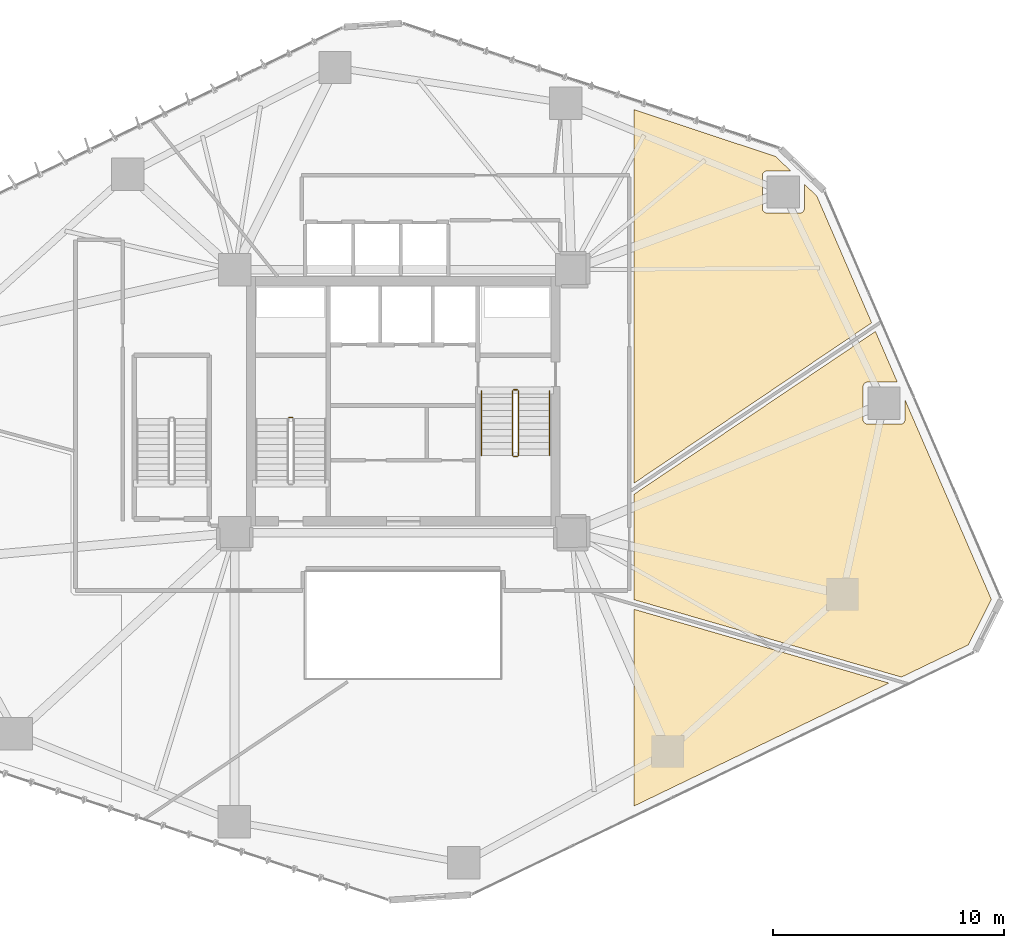
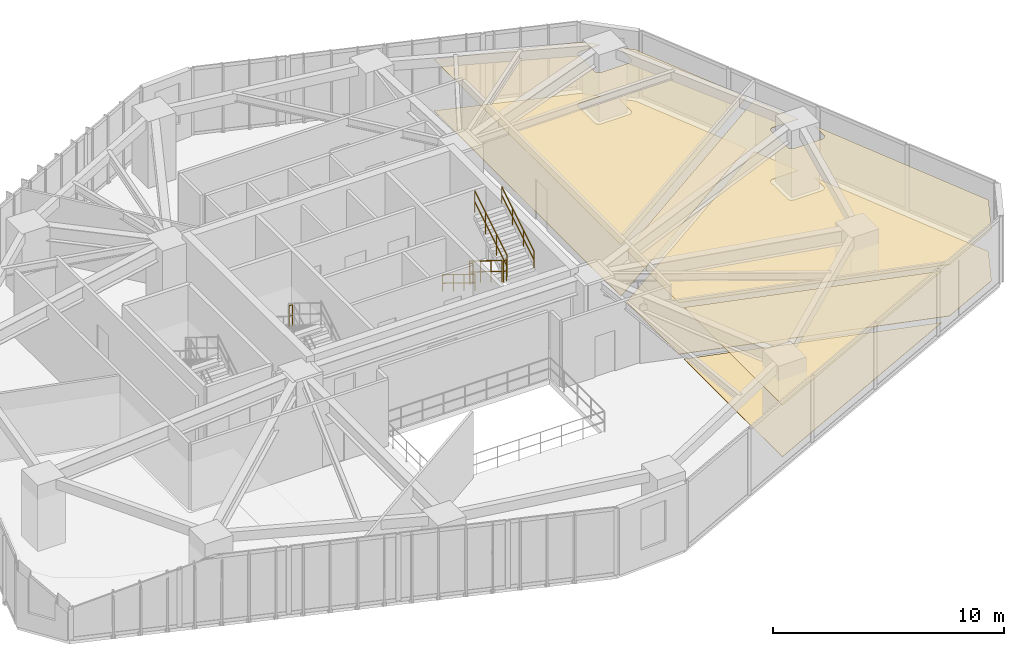
# One storey, part 22 of 23: 7 railings, 6 coverings.
"""IFC4 building model written with IfcOpenShell, lengths in metres."""

from ifc_helpers import new_model, si_unit, direction, frame, origin, origin_2d, place, context, subcontext, project, spatial, polyline, circle, outline, extrude, material, layer, layer_set, type_object, element, save


model = new_model("IFC4")

# Units and contexts
model_context = context("Model", 3, precision=1e-05, world=origin(), true_north=direction((0.0, 1.0)))
body_context = subcontext(model_context, "Body", "Model", "MODEL_VIEW")
ifc_project = project(units=[si_unit("LENGTHUNIT", "METRE"), si_unit("AREAUNIT", "SQUARE_METRE"), si_unit("VOLUMEUNIT", "CUBIC_METRE"), si_unit("PLANEANGLEUNIT", "RADIAN"), si_unit("MASSUNIT", "GRAM", prefix="KILO")], contexts=[model_context])

# Site, building, storey
site_placement = place(None, origin())
site = spatial("IfcSite", under=ifc_project, at=site_placement, CompositionType="ELEMENT")
building_placement = place(site_placement, origin())
building = spatial("IfcBuilding", under=site, at=building_placement, Name="Talar Marvaseh", CompositionType="ELEMENT")
storey_placement = place(building_placement, frame((0.0, 0.0, 35.39990234375)))
storey = spatial("IfcBuildingStorey", under=building, at=storey_placement, Name="L08", CompositionType="ELEMENT", Elevation=35.39990234375)

# Railings
ifc_material_1 = material(Name="Stainless Steel Grade 316", Category="steel")
railing_type_1 = type_object("IfcRailingType", Name="Brushed Stainless Wall Pitch Handrail 900", PredefinedType="HANDRAIL", material=ifc_material_1)
railing_1_placement = place(storey_placement, frame((29.389892578125, 31.64990234375, 0.1728515625)))
element("IfcRailing", 1, at=railing_1_placement, inside=storey, type_object=railing_type_1, Name="L08 ST-2 stair handrail 1", PredefinedType="HANDRAIL", context=body_context, shape_type="SweptSolid", body=[
    extrude(circle(Radius=0.02392578125, at=origin_2d()), frame((0.0, 0.0, 0.8759765625), z_axis=(0.0, -0.851069175582, 0.525053576669), x_axis=(1.0, 0.0, 0.0)), (0.0, 0.0, 1.0), 3.289794921875),
    extrude(circle(Radius=0.02392578125, at=origin_2d()), frame((0.0, 0.0, 0.42578125), z_axis=(0.0, -0.851069175582, 0.525053576669), x_axis=(1.0, 0.0, 0.0)), (0.0, 0.0, 1.0), 3.289794921875),
    extrude(circle(Radius=0.02099609375, at=origin_2d()), origin(), (0.0, 0.0, 1.0), 0.851806640625),
    extrude(circle(Radius=0.02099609375, at=origin_2d()), frame((0.0, -0.933349609375, 0.57568359375)), (0.0, 0.0, 1.0), 0.851806640625),
    extrude(circle(Radius=0.02099609375, at=origin_2d()), frame((0.0, -1.866455078125, 1.151611328125)), (0.0, 0.0, 1.0), 0.851806640625),
    extrude(circle(Radius=0.02099609375, at=origin_2d()), frame((0.0, -2.7998046875, 1.727294921875)), (0.0, 0.0, 1.0), 0.851806640625),
])
railing_2_placement = place(storey_placement, frame((32.35009765625, 28.85009765625, 2.07275390625)))
element("IfcRailing", 2, at=railing_2_placement, inside=storey, type_object=railing_type_1, Name="L08 ST-2 stair handrail 2", PredefinedType="HANDRAIL", context=body_context, shape_type="SweptSolid", body=[
    extrude(circle(Radius=0.02392578125, at=origin_2d()), frame((0.0, 0.0, 0.8759765625), z_axis=(0.0, 0.851069175582, 0.525053576669), x_axis=(-1.0, 0.0, 0.0)), (0.0, 0.0, 1.0), 3.289794921875),
    extrude(circle(Radius=0.02392578125, at=origin_2d()), frame((0.0, 0.0, 0.42578125), z_axis=(0.0, 0.851069175582, 0.525053576669), x_axis=(-1.0, 0.0, 0.0)), (0.0, 0.0, 1.0), 3.289794921875),
    extrude(circle(Radius=0.02099609375, at=origin_2d()), origin(), (0.0, 0.0, 1.0), 0.851806640625),
    extrude(circle(Radius=0.02099609375, at=origin_2d()), frame((0.0, 0.933349609375, 0.57568359375)), (0.0, 0.0, 1.0), 0.851806640625),
    extrude(circle(Radius=0.02099609375, at=origin_2d()), frame((0.0, 1.866455078125, 1.151611328125)), (0.0, 0.0, 1.0), 0.851806640625),
    extrude(circle(Radius=0.02099609375, at=origin_2d()), frame((0.0, 2.7998046875, 1.727294921875)), (0.0, 0.0, 1.0), 0.851806640625),
])
railing_type_2 = type_object("IfcRailingType", Name="Painted Steel Core Stair Well Guardrail 1150", PredefinedType="GUARDRAIL", material=ifc_material_1)
railing_3_placement = place(storey_placement, frame((21.2099609375, 30.5, 1.900146484375)))
element("IfcRailing", 3, at=railing_3_placement, inside=storey, type_object=railing_type_2, Name="L08 ST-1 stair guard 2", PredefinedType="GUARDRAIL", context=body_context, shape_type="SweptSolid", body=[
    extrude(circle(Radius=0.02392578125, at=origin_2d()), frame((0.0, 0.0, 1.1259765625), z_axis=(-1.0, 0.0, 0.0), x_axis=(0.0, -1.0, 0.0)), (0.0, 0.0, 1.0), 0.159912109375),
    extrude(circle(Radius=0.02392578125, at=origin_2d()), frame((0.0, 0.0, 0.55078125), z_axis=(-1.0, 0.0, 0.0), x_axis=(0.0, -1.0, 0.0)), (0.0, 0.0, 1.0), 0.159912109375),
    extrude(circle(Radius=0.02099609375, at=origin_2d()), origin(), (0.0, 0.0, 1.0), 1.101806640625),
    extrude(circle(Radius=0.02099609375, at=origin_2d()), frame((-0.159912109375, 0.0, 0.0)), (0.0, 0.0, 1.0), 1.101806640625),
])
railing_4_placement = place(storey_placement, frame((30.739990234375, 31.64990234375, 0.1728515625)))
element("IfcRailing", 4, at=railing_4_placement, inside=storey, type_object=railing_type_2, Name="L08 ST-2 stair guard 1", PredefinedType="GUARDRAIL", context=body_context, shape_type="SweptSolid", body=[
    extrude(circle(Radius=0.02392578125, at=origin_2d()), frame((0.0, 0.0, 1.1259765625), z_axis=(0.0, -0.851069175582, 0.525053576669), x_axis=(1.0, 0.0, 0.0)), (0.0, 0.0, 1.0), 3.289794921875),
    extrude(circle(Radius=0.02392578125, at=origin_2d()), frame((0.0, 0.0, 0.55078125), z_axis=(0.0, -0.851069175582, 0.525053576669), x_axis=(1.0, 0.0, 0.0)), (0.0, 0.0, 1.0), 3.289794921875),
    extrude(circle(Radius=0.02099609375, at=origin_2d()), origin(), (0.0, 0.0, 1.0), 1.101806640625),
    extrude(circle(Radius=0.02099609375, at=origin_2d()), frame((0.0, -0.933349609375, 0.57568359375)), (0.0, 0.0, 1.0), 1.101806640625),
    extrude(circle(Radius=0.02099609375, at=origin_2d()), frame((0.0, -1.866455078125, 1.151611328125)), (0.0, 0.0, 1.0), 1.101806640625),
    extrude(circle(Radius=0.02099609375, at=origin_2d()), frame((0.0, -2.7998046875, 1.727294921875)), (0.0, 0.0, 1.0), 1.101806640625),
])
railing_5_placement = place(storey_placement, frame((30.7900390625, 28.800048828125, 1.900146484375)))
element("IfcRailing", 5, at=railing_5_placement, inside=storey, type_object=railing_type_2, Name="L08 ST-2 stair guard 2", PredefinedType="GUARDRAIL", context=body_context, shape_type="SweptSolid", body=[
    extrude(circle(Radius=0.02392578125, at=origin_2d()), frame((0.0, 0.0, 1.1259765625), z_axis=(1.0, 0.0, 0.0), x_axis=(0.0, 1.0, 0.0)), (0.0, 0.0, 1.0), 0.159912109375),
    extrude(circle(Radius=0.02392578125, at=origin_2d()), frame((0.0, 0.0, 0.55078125), z_axis=(1.0, 0.0, 0.0), x_axis=(0.0, 1.0, 0.0)), (0.0, 0.0, 1.0), 0.159912109375),
    extrude(circle(Radius=0.02099609375, at=origin_2d()), origin(), (0.0, 0.0, 1.0), 1.101806640625),
    extrude(circle(Radius=0.02099609375, at=origin_2d()), frame((0.159912109375, 0.0, 0.0)), (0.0, 0.0, 1.0), 1.101806640625),
])
railing_6_placement = place(storey_placement, frame((31.0, 28.85009765625, 2.07275390625)))
element("IfcRailing", 6, at=railing_6_placement, inside=storey, type_object=railing_type_2, Name="L08 ST-2 stair guard 3", PredefinedType="GUARDRAIL", context=body_context, shape_type="SweptSolid", body=[
    extrude(circle(Radius=0.02392578125, at=origin_2d()), frame((0.0, 0.0, 1.1259765625), z_axis=(0.0, 0.851069175582, 0.525053576669), x_axis=(-1.0, 0.0, 0.0)), (0.0, 0.0, 1.0), 3.289794921875),
    extrude(circle(Radius=0.02392578125, at=origin_2d()), frame((0.0, 0.0, 0.55078125), z_axis=(0.0, 0.851069175582, 0.525053576669), x_axis=(-1.0, 0.0, 0.0)), (0.0, 0.0, 1.0), 3.289794921875),
    extrude(circle(Radius=0.02099609375, at=origin_2d()), origin(), (0.0, 0.0, 1.0), 1.101806640625),
    extrude(circle(Radius=0.02099609375, at=origin_2d()), frame((0.0, 0.933349609375, 0.57568359375)), (0.0, 0.0, 1.0), 1.101806640625),
    extrude(circle(Radius=0.02099609375, at=origin_2d()), frame((0.0, 1.866455078125, 1.151611328125)), (0.0, 0.0, 1.0), 1.101806640625),
    extrude(circle(Radius=0.02099609375, at=origin_2d()), frame((0.0, 2.7998046875, 1.727294921875)), (0.0, 0.0, 1.0), 1.101806640625),
])
railing_7_placement = place(storey_placement, frame((30.7900390625, 31.699951171875, 0.0)))
element("IfcRailing", 7, at=railing_7_placement, inside=storey, type_object=railing_type_2, Name="L08 ST-2 stair guard 4", PredefinedType="GUARDRAIL", context=body_context, shape_type="SweptSolid", body=[
    extrude(circle(Radius=0.02392578125, at=origin_2d()), frame((0.0, 0.0, 1.1259765625), z_axis=(1.0, 0.0, 0.0), x_axis=(0.0, 1.0, 0.0)), (0.0, 0.0, 1.0), 0.159912109375),
    extrude(circle(Radius=0.02392578125, at=origin_2d()), frame((0.0, 0.0, 0.55078125), z_axis=(1.0, 0.0, 0.0), x_axis=(0.0, 1.0, 0.0)), (0.0, 0.0, 1.0), 0.159912109375),
    extrude(circle(Radius=0.02099609375, at=origin_2d()), origin(), (0.0, 0.0, 1.0), 1.101806640625),
    extrude(circle(Radius=0.02099609375, at=origin_2d()), frame((0.159912109375, 0.0, 0.0)), (0.0, 0.0, 1.0), 1.101806640625),
])

# Coverings
ifc_material_2 = material(Name="Mineral Fibre Acoustic Ceiling")
ifc_layer_1 = layer(ifc_material_2, 0.02490234375)
ifc_layer_set_1 = layer_set([ifc_layer_1], Name="Mineral Fibre Acoustic Ceiling")
covering_type_1 = type_object("IfcCoveringType", Name="Perforated Mineral Fibre Acoustic Suspended Ceiling", PredefinedType="CEILING", material=ifc_layer_set_1)
covering_1_placement = place(storey_placement, frame((0.0, 0.0, 2.72021484375)))
element("IfcCovering", 8, at=covering_1_placement, inside=storey, type_object=covering_type_1, Name="L08 Seminar Room Acoustic Ceiling", PredefinedType="CEILING", context=body_context, shape_type="SweptSolid", body=[
    extrude(outline(polyline([(36.0, 13.6552734375), (36.0, 22.1865234375), (47.05615234375, 18.986083984375), (36.0, 13.6552734375)])), origin(), (0.0, 0.0, 1.0), 0.02490234375),
])
covering_2_placement = place(storey_placement, frame((0.0, 0.0, 2.72021484375)))
element("IfcCovering", 9, at=covering_2_placement, inside=storey, type_object=covering_type_1, Name="L08 Main Reading Room Acoustic Ceiling", PredefinedType="CEILING", context=body_context, shape_type="SweptSolid", body=[
    extrude(outline(polyline([(46.110107421875, 32.028564453125), (46.0908203125, 32.025634765625), (46.072021484375, 32.020751953125), (46.053466796875, 32.01416015625), (46.03564453125, 32.005859375), (46.01904296875, 31.99560546875), (46.00341796875, 31.98388671875), (45.98876953125, 31.970703125), (45.9755859375, 31.956298828125), (45.964111328125, 31.9404296875), (45.953857421875, 31.923583984375), (45.945556640625, 31.906005859375), (45.93896484375, 31.887451171875), (45.93408203125, 31.868408203125), (45.931396484375, 31.84912109375), (45.930419921875, 31.82958984375), (45.930419921875, 30.408447265625), (45.931396484375, 30.388916015625), (45.93408203125, 30.369384765625), (45.93896484375, 30.350341796875), (45.945556640625, 30.331787109375), (45.9541015625, 30.314208984375), (45.964111328125, 30.29736328125), (45.975830078125, 30.281494140625), (45.989013671875, 30.26708984375), (46.00341796875, 30.25390625), (46.019287109375, 30.2421875), (46.0361328125, 30.23193359375), (46.053955078125, 30.2236328125), (46.072265625, 30.217041015625), (46.09130859375, 30.212158203125), (46.11083984375, 30.20947265625), (46.13037109375, 30.20849609375), (47.551513671875, 30.20849609375), (47.5712890625, 30.20947265625), (47.590576171875, 30.212158203125), (47.609619140625, 30.217041015625), (47.6279296875, 30.2236328125), (47.645751953125, 30.23193359375), (47.66259765625, 30.241943359375), (47.67822265625, 30.253662109375), (47.69287109375, 30.266845703125), (47.7060546875, 30.28125), (47.7177734375, 30.297119140625), (47.727783203125, 30.313720703125), (47.736083984375, 30.331298828125), (47.742919921875, 30.349853515625), (47.747802734375, 30.368896484375), (47.75048828125, 30.38818359375), (47.751708984375, 30.40771484375), (47.754150390625, 31.251708984375), (51.489990234375, 22.619873046875), (50.498046875, 20.6455078125), (47.595947265625, 19.24609375), (36.0, 22.602783203125), (36.0, 23.0), (36.0, 27.166259765625), (46.466796875, 34.22607421875), (47.415771484375, 32.03369140625), (46.1298828125, 32.029541015625), (46.110107421875, 32.028564453125)])), origin(), (0.0, 0.0, 1.0), 0.02490234375),
])
covering_3_placement = place(storey_placement, frame((0.0, 0.0, 2.72021484375)))
element("IfcCovering", 10, at=covering_3_placement, inside=storey, type_object=covering_type_1, Name="L08 Colloquium Boardroom Acoustic Ceiling", PredefinedType="CEILING", context=body_context, shape_type="SweptSolid", body=[
    extrude(outline(polyline([(42.7939453125, 41.182861328125), (41.765869140625, 41.1796875), (41.74609375, 41.1787109375), (41.726806640625, 41.175537109375), (41.7080078125, 41.1708984375), (41.689453125, 41.164306640625), (41.671630859375, 41.15576171875), (41.655029296875, 41.145751953125), (41.639404296875, 41.134033203125), (41.624755859375, 41.120849609375), (41.611572265625, 41.106201171875), (41.60009765625, 41.090576171875), (41.58984375, 41.07373046875), (41.58154296875, 41.055908203125), (41.574951171875, 41.03759765625), (41.5703125, 41.0185546875), (41.5673828125, 40.999267578125), (41.56640625, 40.9794921875), (41.56640625, 39.558349609375), (41.5673828125, 39.538818359375), (41.5703125, 39.519287109375), (41.574951171875, 39.500244140625), (41.58154296875, 39.48193359375), (41.590087890625, 39.464111328125), (41.60009765625, 39.447265625), (41.61181640625, 39.431396484375), (41.625, 39.4169921875), (41.639404296875, 39.40380859375), (41.6552734375, 39.39208984375), (41.672119140625, 39.382080078125), (41.68994140625, 39.37353515625), (41.708251953125, 39.366943359375), (41.727294921875, 39.3623046875), (41.746826171875, 39.359375), (41.766357421875, 39.3583984375), (43.1875, 39.3583984375), (43.207275390625, 39.359375), (43.2265625, 39.3623046875), (43.24560546875, 39.366943359375), (43.263916015625, 39.37353515625), (43.28173828125, 39.3818359375), (43.298583984375, 39.39208984375), (43.314208984375, 39.403564453125), (43.328857421875, 39.416748046875), (43.342041015625, 39.431396484375), (43.353759765625, 39.447021484375), (43.36376953125, 39.4638671875), (43.372314453125, 39.4814453125), (43.37890625, 39.5), (43.3837890625, 39.518798828125), (43.38671875, 39.5380859375), (43.3876953125, 39.557861328125), (43.390869140625, 40.60888671875), (43.927490234375, 40.0927734375), (46.30517578125, 34.599609375), (36.0, 27.648681640625), (36.0, 41.0), (36.0, 43.843505859375), (42.1416015625, 41.810302734375), (42.7939453125, 41.182861328125)])), origin(), (0.0, 0.0, 1.0), 0.02490234375),
])
ifc_material_3 = material(Name="Porcelain Stoneware Tile", Category="masonry")
ifc_layer_2 = layer(ifc_material_3, 0.02001953125)
ifc_layer_set_2 = layer_set([ifc_layer_2], Name="Porcelain Stoneware Tile")
covering_type_2 = type_object("IfcCoveringType", Name="Polished Porcelain Stoneware Gallery Flooring", PredefinedType="FLOORING", material=ifc_layer_set_2)
covering_4_placement = place(storey_placement, origin())
element("IfcCovering", 11, at=covering_4_placement, inside=storey, type_object=covering_type_2, Name="L08 Seminar Room Flooring", PredefinedType="FLOORING", context=body_context, shape_type="SweptSolid", body=[
    extrude(outline(polyline([(36.0, 13.6552734375), (36.0, 22.1865234375), (47.05615234375, 18.986083984375), (36.0, 13.6552734375)])), origin(), (0.0, 0.0, 1.0), 0.02001953125),
])
covering_5_placement = place(storey_placement, origin())
element("IfcCovering", 12, at=covering_5_placement, inside=storey, type_object=covering_type_2, Name="L08 Main Reading Room Flooring", PredefinedType="FLOORING", context=body_context, shape_type="SweptSolid", body=[
    extrude(outline(polyline([(46.110107421875, 32.028564453125), (46.0908203125, 32.025634765625), (46.072021484375, 32.020751953125), (46.053466796875, 32.01416015625), (46.03564453125, 32.005859375), (46.01904296875, 31.99560546875), (46.00341796875, 31.98388671875), (45.98876953125, 31.970703125), (45.9755859375, 31.956298828125), (45.964111328125, 31.9404296875), (45.953857421875, 31.923583984375), (45.945556640625, 31.906005859375), (45.93896484375, 31.887451171875), (45.93408203125, 31.868408203125), (45.931396484375, 31.84912109375), (45.930419921875, 31.82958984375), (45.930419921875, 30.408447265625), (45.931396484375, 30.388916015625), (45.93408203125, 30.369384765625), (45.93896484375, 30.350341796875), (45.945556640625, 30.331787109375), (45.9541015625, 30.314208984375), (45.964111328125, 30.29736328125), (45.975830078125, 30.281494140625), (45.989013671875, 30.26708984375), (46.00341796875, 30.25390625), (46.019287109375, 30.2421875), (46.0361328125, 30.23193359375), (46.053955078125, 30.2236328125), (46.072265625, 30.217041015625), (46.09130859375, 30.212158203125), (46.11083984375, 30.20947265625), (46.13037109375, 30.20849609375), (47.551513671875, 30.20849609375), (47.5712890625, 30.20947265625), (47.590576171875, 30.212158203125), (47.609619140625, 30.217041015625), (47.6279296875, 30.2236328125), (47.645751953125, 30.23193359375), (47.66259765625, 30.241943359375), (47.67822265625, 30.253662109375), (47.69287109375, 30.266845703125), (47.7060546875, 30.28125), (47.7177734375, 30.297119140625), (47.727783203125, 30.313720703125), (47.736083984375, 30.331298828125), (47.742919921875, 30.349853515625), (47.747802734375, 30.368896484375), (47.75048828125, 30.38818359375), (47.751708984375, 30.40771484375), (47.754150390625, 31.251708984375), (51.489990234375, 22.619873046875), (50.498046875, 20.6455078125), (47.595947265625, 19.24609375), (36.0, 22.602783203125), (36.0, 23.0), (36.0, 27.166259765625), (46.466796875, 34.22607421875), (47.415771484375, 32.03369140625), (46.1298828125, 32.029541015625), (46.110107421875, 32.028564453125)])), origin(), (0.0, 0.0, 1.0), 0.02001953125),
])
covering_6_placement = place(storey_placement, origin())
element("IfcCovering", 13, at=covering_6_placement, inside=storey, type_object=covering_type_2, Name="L08 Colloquium Boardroom Flooring", PredefinedType="FLOORING", context=body_context, shape_type="SweptSolid", body=[
    extrude(outline(polyline([(42.7939453125, 41.182861328125), (41.765869140625, 41.1796875), (41.74609375, 41.1787109375), (41.726806640625, 41.175537109375), (41.7080078125, 41.1708984375), (41.689453125, 41.164306640625), (41.671630859375, 41.15576171875), (41.655029296875, 41.145751953125), (41.639404296875, 41.134033203125), (41.624755859375, 41.120849609375), (41.611572265625, 41.106201171875), (41.60009765625, 41.090576171875), (41.58984375, 41.07373046875), (41.58154296875, 41.055908203125), (41.574951171875, 41.03759765625), (41.5703125, 41.0185546875), (41.5673828125, 40.999267578125), (41.56640625, 40.9794921875), (41.56640625, 39.558349609375), (41.5673828125, 39.538818359375), (41.5703125, 39.519287109375), (41.574951171875, 39.500244140625), (41.58154296875, 39.48193359375), (41.590087890625, 39.464111328125), (41.60009765625, 39.447265625), (41.61181640625, 39.431396484375), (41.625, 39.4169921875), (41.639404296875, 39.40380859375), (41.6552734375, 39.39208984375), (41.672119140625, 39.382080078125), (41.68994140625, 39.37353515625), (41.708251953125, 39.366943359375), (41.727294921875, 39.3623046875), (41.746826171875, 39.359375), (41.766357421875, 39.3583984375), (43.1875, 39.3583984375), (43.207275390625, 39.359375), (43.2265625, 39.3623046875), (43.24560546875, 39.366943359375), (43.263916015625, 39.37353515625), (43.28173828125, 39.3818359375), (43.298583984375, 39.39208984375), (43.314208984375, 39.403564453125), (43.328857421875, 39.416748046875), (43.342041015625, 39.431396484375), (43.353759765625, 39.447021484375), (43.36376953125, 39.4638671875), (43.372314453125, 39.4814453125), (43.37890625, 39.5), (43.3837890625, 39.518798828125), (43.38671875, 39.5380859375), (43.3876953125, 39.557861328125), (43.390869140625, 40.60888671875), (43.927490234375, 40.0927734375), (46.30517578125, 34.599609375), (36.0, 27.648681640625), (36.0, 41.0), (36.0, 43.843505859375), (42.1416015625, 41.810302734375), (42.7939453125, 41.182861328125)])), origin(), (0.0, 0.0, 1.0), 0.02001953125),
])

save(model, "model.ifc")
